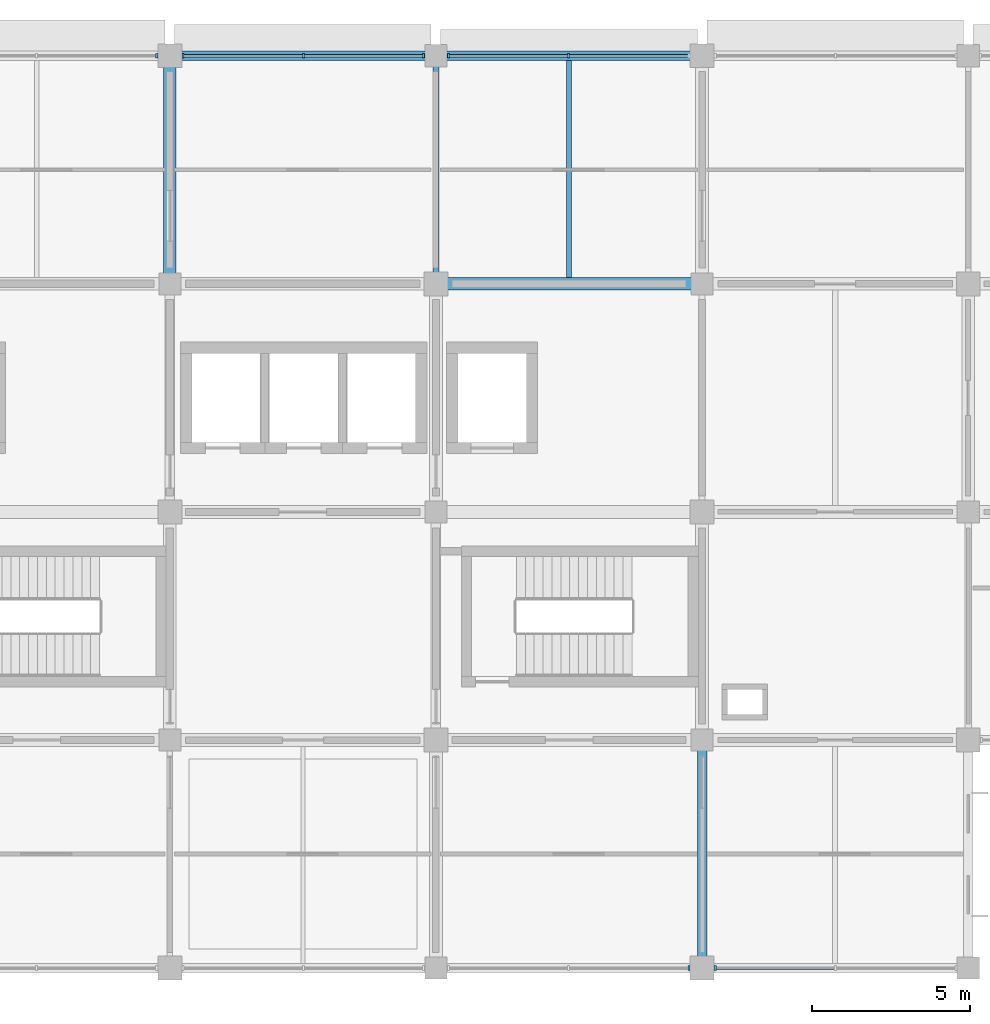
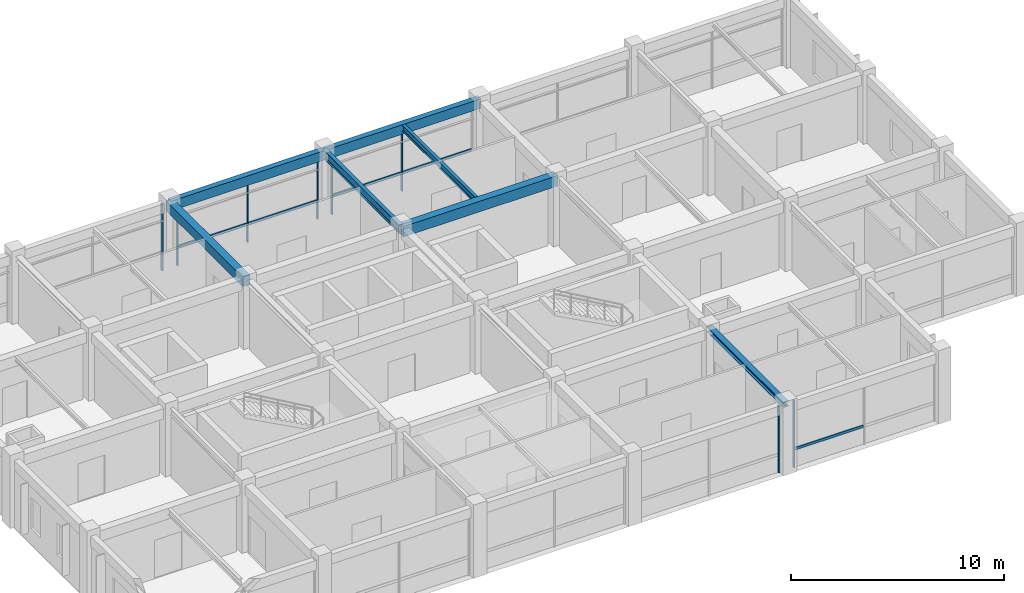
# One storey, part 5 of 13: 13 members, 7 beams, 5 elements without a shape of their own.
"""IFC4 building model written with IfcOpenShell, lengths in metres."""

from ifc_helpers import new_model, si_unit, derived_unit, direction, frame, origin, origin_2d, place, context, subcontext, project, spatial, rectangle, i_section, extrude, material, material_profile, profile_set, type_object, element, aggregate, save


model = new_model("IFC4")

# Units and contexts
model_context = context("Model", 3, precision=1e-05, world=origin(), true_north=direction((0.0, 1.0)))
body_context = subcontext(model_context, "Body", "Model", "MODEL_VIEW")
ifc_project = project(units=[si_unit("LENGTHUNIT", "METRE"), si_unit("AREAUNIT", "SQUARE_METRE"), si_unit("VOLUMEUNIT", "CUBIC_METRE"), si_unit("PLANEANGLEUNIT", "RADIAN"), si_unit("MASSUNIT", "GRAM", prefix="KILO"), derived_unit("THERMALTRANSMITTANCEUNIT", [(si_unit("MASSUNIT", "GRAM", prefix="KILO"), 1), (si_unit("TIMEUNIT", "SECOND"), -3), (si_unit("THERMODYNAMICTEMPERATUREUNIT", "KELVIN"), -1)])], contexts=[model_context])

# Site, building, storey
site_placement = place(None, origin())
site = spatial("IfcSite", under=ifc_project, at=site_placement, CompositionType="ELEMENT")
building_placement = place(site_placement, origin())
building = spatial("IfcBuilding", under=site, at=building_placement, Name="Veldstrom Oceanarium and Marine Research Institute", CompositionType="ELEMENT")
storey_placement = place(building_placement, frame((0.0, 0.0, 39.60009765625)))
storey = spatial("IfcBuildingStorey", under=building, at=storey_placement, Name="L08", CompositionType="ELEMENT", Elevation=39.60009765625)

# Curtain wall, member
ifc_material_1 = material(Name="Anodised Aluminium Framing", Category="aluminium")
curtain_wall_type = type_object("IfcCurtainWallType", Name="ARC-CW-CW04", PredefinedType="USERDEFINED", material=ifc_material_1)
curtain_wall_1_placement = place(storey_placement, origin())
curtain_wall_1 = element("IfcCurtainWall", 1, at=curtain_wall_1_placement, inside=storey, type_object=curtain_wall_type, Name="Curtain Wall CW04 CW-L08-125", ObjectType="Curtain wall", PredefinedType="USERDEFINED")
ifc_material_2 = material(Name="Anodised Aluminium Framing", Category="aluminium")
ifc_material_profile_1 = material_profile(ifc_material_2, rectangle(XDim=0.06494140625, YDim=0.14990234375, at=origin_2d()), Name="ALU-MUL-65x150")
ifc_profile_set_1 = profile_set([ifc_material_profile_1], Name="Anodised Aluminium Framing")
member_type_1 = type_object("IfcMemberType", Name="ARC-MUL-ML2", PredefinedType="MULLION", material=ifc_profile_set_1)
member_1_placement = place(storey_placement, frame((83.5849609375, 72.0, 0.0), z_axis=(0.0, 0.0, 1.0), x_axis=(1.0, 0.0, 0.0)))
member_1 = element("IfcMember", 2, at=member_1_placement, type_object=member_type_1, Name="Curtain Wall Mullion CW-L08-125-MUL-3", PredefinedType="MULLION", context=body_context, shape_type="SweptSolid", body=[
    extrude(rectangle(XDim=0.06494140625, YDim=0.14990234375, at=origin_2d()), origin(), (0.0, 0.0, 1.0), 3.849853515625),
])
aggregate(curtain_wall_1, [member_1])

# Curtain wall, members
curtain_wall_2_placement = place(storey_placement, origin())
curtain_wall_2 = element("IfcCurtainWall", 3, at=curtain_wall_2_placement, inside=storey, type_object=curtain_wall_type, Name="Curtain Wall CW04 CW-L08-127", ObjectType="Curtain wall", PredefinedType="USERDEFINED")
member_2_placement = place(storey_placement, frame((84.4150390625, 72.0, 0.0), z_axis=(0.0, 0.0, 1.0), x_axis=(1.0, 0.0, 0.0)))
member_2 = element("IfcMember", 4, at=member_2_placement, type_object=member_type_1, Name="Curtain Wall Mullion CW-L08-127-MUL-1", PredefinedType="MULLION", context=body_context, shape_type="SweptSolid", body=[
    extrude(rectangle(XDim=0.06494140625, YDim=0.14990234375, at=origin_2d()), origin(), (0.0, 0.0, 1.0), 3.849853515625),
])
member_3_placement = place(storey_placement, frame((88.21240234375, 72.0, 0.0), z_axis=(0.0, 0.0, 1.0), x_axis=(1.0, 0.0, 0.0)))
member_3 = element("IfcMember", 5, at=member_3_placement, type_object=member_type_1, Name="Curtain Wall Mullion CW-L08-127-MUL-2", PredefinedType="MULLION", context=body_context, shape_type="SweptSolid", body=[
    extrude(rectangle(XDim=0.06494140625, YDim=0.14990234375, at=origin_2d()), origin(), (0.0, 0.0, 1.0), 3.849853515625),
])
member_4_placement = place(storey_placement, frame((92.010009765625, 72.0, 0.0), z_axis=(0.0, 0.0, 1.0), x_axis=(1.0, 0.0, 0.0)))
member_4 = element("IfcMember", 6, at=member_4_placement, type_object=member_type_1, Name="Curtain Wall Mullion CW-L08-127-MUL-3", PredefinedType="MULLION", context=body_context, shape_type="SweptSolid", body=[
    extrude(rectangle(XDim=0.06494140625, YDim=0.14990234375, at=origin_2d()), origin(), (0.0, 0.0, 1.0), 3.849853515625),
])

# Curtain wall, member
curtain_wall_3_placement = place(storey_placement, origin())
curtain_wall_3 = element("IfcCurtainWall", 7, at=curtain_wall_3_placement, inside=storey, type_object=curtain_wall_type, Name="Curtain Wall CW04 CW-L08-128", ObjectType="Curtain wall", PredefinedType="USERDEFINED")
member_5_placement = place(storey_placement, frame((100.385009765625, 43.199951171875, 0.0), z_axis=(0.0, 0.0, 1.0), x_axis=(1.0, 0.0, 0.0)))
member_5 = element("IfcMember", 8, at=member_5_placement, type_object=member_type_1, Name="Curtain Wall Mullion CW-L08-128-MUL-3", PredefinedType="MULLION", context=body_context, shape_type="SweptSolid", body=[
    extrude(rectangle(XDim=0.06494140625, YDim=0.14990234375, at=origin_2d()), origin(), (0.0, 0.0, 1.0), 3.849853515625),
])
aggregate(curtain_wall_3, [member_5])

# Curtain wall, members
curtain_wall_4_placement = place(storey_placement, origin())
curtain_wall_4 = element("IfcCurtainWall", 9, at=curtain_wall_4_placement, inside=storey, type_object=curtain_wall_type, Name="Curtain Wall CW04 CW-L08-129", ObjectType="Curtain wall", PredefinedType="USERDEFINED")
member_6_placement = place(storey_placement, frame((92.7900390625, 72.0, 0.0), z_axis=(0.0, 0.0, 1.0), x_axis=(1.0, 0.0, 0.0)))
member_6 = element("IfcMember", 10, at=member_6_placement, type_object=member_type_1, Name="Curtain Wall Mullion CW-L08-129-MUL-1", PredefinedType="MULLION", context=body_context, shape_type="SweptSolid", body=[
    extrude(rectangle(XDim=0.06494140625, YDim=0.14990234375, at=origin_2d()), origin(), (0.0, 0.0, 1.0), 3.849853515625),
])
member_7_placement = place(storey_placement, frame((96.58740234375, 72.0, 0.0), z_axis=(0.0, 0.0, 1.0), x_axis=(1.0, 0.0, 0.0)))
member_7 = element("IfcMember", 11, at=member_7_placement, type_object=member_type_1, Name="Curtain Wall Mullion CW-L08-129-MUL-2", PredefinedType="MULLION", context=body_context, shape_type="SweptSolid", body=[
    extrude(rectangle(XDim=0.06494140625, YDim=0.14990234375, at=origin_2d()), origin(), (0.0, 0.0, 1.0), 3.849853515625),
])

# Curtain wall, member
curtain_wall_5_placement = place(storey_placement, origin())
curtain_wall_5 = element("IfcCurtainWall", 12, at=curtain_wall_5_placement, inside=storey, type_object=curtain_wall_type, Name="Curtain Wall CW04 CW-L08-130", ObjectType="Curtain wall", PredefinedType="USERDEFINED")
member_8_placement = place(storey_placement, frame((101.215087890625, 43.199951171875, 0.0), z_axis=(0.0, 0.0, 1.0), x_axis=(1.0, 0.0, 0.0)))
member_8 = element("IfcMember", 13, at=member_8_placement, type_object=member_type_1, Name="Curtain Wall Mullion CW-L08-130-MUL-1", PredefinedType="MULLION", context=body_context, shape_type="SweptSolid", body=[
    extrude(rectangle(XDim=0.06494140625, YDim=0.14990234375, at=origin_2d()), origin(), (0.0, 0.0, 1.0), 3.849853515625),
])

# Member
ifc_material_3 = material(Name="Anodised Aluminium Framing", Category="aluminium")
ifc_material_profile_2 = material_profile(ifc_material_3, rectangle(XDim=0.074951171875, YDim=0.14990234375, at=origin_2d()), Name="ALU-TRN-75x150")
ifc_profile_set_2 = profile_set([ifc_material_profile_2], Name="Anodised Aluminium Framing")
member_type_2 = type_object("IfcMemberType", Name="ARC-TRN-TR1", PredefinedType="USERDEFINED", material=ifc_profile_set_2)
member_9_placement = place(storey_placement, frame((84.455078125, 72.0, 1.0498046875), z_axis=(1.0, 0.0, 0.0), x_axis=(0.0, 1.0, 0.0)))
member_9 = element("IfcMember", 14, at=member_9_placement, type_object=member_type_2, Name="Curtain Wall Transom CW-L08-127-TRN-1", ObjectType="Transom", PredefinedType="USERDEFINED", context=body_context, shape_type="SweptSolid", body=[
    extrude(rectangle(XDim=0.074951171875, YDim=0.14990234375, at=origin_2d()), origin(), (0.0, 0.0, 1.0), 3.717529296875),
])

member_10_placement = place(storey_placement, frame((88.25244140625, 72.0, 1.0498046875), z_axis=(1.0, 0.0, 0.0), x_axis=(0.0, 1.0, 0.0)))
member_10 = element("IfcMember", 15, at=member_10_placement, type_object=member_type_2, Name="Curtain Wall Transom CW-L08-127-TRN-2", ObjectType="Transom", PredefinedType="USERDEFINED", context=body_context, shape_type="SweptSolid", body=[
    extrude(rectangle(XDim=0.074951171875, YDim=0.14990234375, at=origin_2d()), origin(), (0.0, 0.0, 1.0), 3.717529296875),
])

aggregate(curtain_wall_2, [member_2, member_3, member_4, member_9, member_10])

member_11_placement = place(storey_placement, frame((92.830078125, 72.0, 1.0498046875), z_axis=(1.0, 0.0, 0.0), x_axis=(0.0, 1.0, 0.0)))
member_11 = element("IfcMember", 16, at=member_11_placement, type_object=member_type_2, Name="Curtain Wall Transom CW-L08-129-TRN-1", ObjectType="Transom", PredefinedType="USERDEFINED", context=body_context, shape_type="SweptSolid", body=[
    extrude(rectangle(XDim=0.074951171875, YDim=0.14990234375, at=origin_2d()), origin(), (0.0, 0.0, 1.0), 3.717529296875),
])

member_12_placement = place(storey_placement, frame((96.62744140625, 72.0, 1.0498046875), z_axis=(1.0, 0.0, 0.0), x_axis=(0.0, 1.0, 0.0)))
member_12 = element("IfcMember", 17, at=member_12_placement, type_object=member_type_2, Name="Curtain Wall Transom CW-L08-129-TRN-2", ObjectType="Transom", PredefinedType="USERDEFINED", context=body_context, shape_type="SweptSolid", body=[
    extrude(rectangle(XDim=0.074951171875, YDim=0.14990234375, at=origin_2d()), origin(), (0.0, 0.0, 1.0), 3.717529296875),
])

aggregate(curtain_wall_4, [member_6, member_7, member_11, member_12])

member_13_placement = place(storey_placement, frame((101.2548828125, 43.199951171875, 1.0498046875), z_axis=(1.0, 0.0, 0.0), x_axis=(0.0, 1.0, 0.0)))
member_13 = element("IfcMember", 18, at=member_13_placement, type_object=member_type_2, Name="Curtain Wall Transom CW-L08-130-TRN-1", ObjectType="Transom", PredefinedType="USERDEFINED", context=body_context, shape_type="SweptSolid", body=[
    extrude(rectangle(XDim=0.074951171875, YDim=0.14990234375, at=origin_2d()), origin(), (0.0, 0.0, 1.0), 3.717529296875),
])

aggregate(curtain_wall_5, [member_8, member_13])

# Beams
ifc_material_4 = material(Name="Concrete C40/50", Category="concrete")
ifc_material_profile_3 = material_profile(ifc_material_4, rectangle(XDim=0.39990234375, YDim=0.60009765625, at=origin_2d()), Name="RC-BM-400x600")
ifc_profile_set_3 = profile_set([ifc_material_profile_3], Name="Concrete C40/50")
beam_type_1 = type_object("IfcBeamType", Name="STR-BM-B06", PredefinedType="BEAM", material=ifc_profile_set_3)
beam_1_placement = place(storey_placement, frame((92.39990234375, 64.800048828125, 3.594970703125), z_axis=(1.0, 0.0, 0.0), x_axis=(0.0, 1.0, 0.0)))
element("IfcBeam", 19, at=beam_1_placement, inside=storey, type_object=beam_type_1, Name="Primary Beam B06 L08-2426", PredefinedType="BEAM", context=body_context, shape_type="SweptSolid", body=[
    extrude(rectangle(XDim=0.39990234375, YDim=0.60009765625, at=origin_2d()), origin(), (0.0, 0.0, 1.0), 8.400146484375),
])
ifc_material_5 = material(Name="Concrete C40/50", Category="concrete")
ifc_material_profile_4 = material_profile(ifc_material_5, rectangle(XDim=0.39990234375, YDim=0.550048828125, at=origin_2d()), Name="RC-BM-400x550")
ifc_profile_set_4 = profile_set([ifc_material_profile_4], Name="Concrete C40/50")
beam_type_2 = type_object("IfcBeamType", Name="STR-BM-B07", PredefinedType="BEAM", material=ifc_profile_set_4)
beam_2_placement = place(storey_placement, frame((84.0, 64.800048828125, 3.619873046875), z_axis=(0.0, 1.0, 0.0), x_axis=(-1.0, 0.0, 0.0)))
element("IfcBeam", 20, at=beam_2_placement, inside=storey, type_object=beam_type_2, Name="Primary Beam B07 L08-2448", PredefinedType="BEAM", context=body_context, shape_type="SweptSolid", body=[
    extrude(rectangle(XDim=0.39990234375, YDim=0.550048828125, at=origin_2d()), origin(), (0.0, 0.0, 1.0), 7.199951171875),
])
ifc_material_6 = material(Name="Steel S355JR", Category="steel")
ifc_material_profile_5 = material_profile(ifc_material_6, i_section(OverallWidth=0.300048828125, OverallDepth=0.2900390625, WebThickness=0.008544921875, FlangeThickness=0.013916015625, FilletRadius=0.027099609375, at=origin_2d()), Name="HEA 300")
ifc_profile_set_5 = profile_set([ifc_material_profile_5], Name="Steel S355JR")
beam_type_3 = type_object("IfcBeamType", Name="STR-BM-SB10", PredefinedType="BEAM", material=ifc_profile_set_5)
beam_3_placement = place(storey_placement, frame((100.800048828125, 43.199951171875, 3.75), z_axis=(0.0, 1.0, 0.0), x_axis=(-1.0, 0.0, 0.0)))
element("IfcBeam", 21, at=beam_3_placement, inside=storey, type_object=beam_type_3, Name="Steel Tie Beam SB10 L08-2453", PredefinedType="BEAM", context=body_context, shape_type="SweptSolid", body=[
    extrude(i_section(OverallWidth=0.300048828125, OverallDepth=0.2900390625, WebThickness=0.008544921875, FlangeThickness=0.013916015625, FilletRadius=0.027099609375, at=origin_2d()), origin(), (0.0, 0.0, 1.0), 7.199951171875),
])
ifc_material_7 = material(Name="Steel S355JR", Category="steel")
ifc_material_profile_6 = material_profile(ifc_material_7, i_section(OverallWidth=0.199951171875, OverallDepth=0.5, WebThickness=0.01025390625, FlangeThickness=0.01611328125, FilletRadius=0.02099609375, at=origin_2d()), Name="IPE 500")
ifc_profile_set_6 = profile_set([ifc_material_profile_6], Name="Steel S355JR")
beam_type_4 = type_object("IfcBeamType", Name="STR-BM-SB6", PredefinedType="BEAM", material=ifc_profile_set_6)
beam_4_placement = place(storey_placement, frame((92.39990234375, 64.800048828125, 3.64501953125), z_axis=(0.0, 1.0, 0.0), x_axis=(-1.0, 0.0, 0.0)))
element("IfcBeam", 22, at=beam_4_placement, inside=storey, type_object=beam_type_4, Name="Steel Tie Beam SB6 L08-2452", PredefinedType="BEAM", context=body_context, shape_type="SweptSolid", body=[
    extrude(i_section(OverallWidth=0.199951171875, OverallDepth=0.5, WebThickness=0.01025390625, FlangeThickness=0.01611328125, FilletRadius=0.02099609375, at=origin_2d()), origin(), (0.0, 0.0, 1.0), 7.199951171875),
])
ifc_material_8 = material(Name="Steel S355JR", Category="steel")
ifc_material_profile_7 = material_profile(ifc_material_8, i_section(OverallWidth=0.169921875, OverallDepth=0.360107421875, WebThickness=0.008056640625, FlangeThickness=0.0126953125, FilletRadius=0.01806640625, at=origin_2d()), Name="IPE 360")
ifc_profile_set_7 = profile_set([ifc_material_profile_7], Name="Steel S355JR")
beam_type_5 = type_object("IfcBeamType", Name="STR-JST-SJ1", PredefinedType="JOIST", material=ifc_profile_set_7)
beam_5_placement = place(storey_placement, frame((96.60009765625, 65.0, 3.71484375), z_axis=(0.0, 1.0, 0.0), x_axis=(-1.0, 0.0, 0.0)))
element("IfcBeam", 23, at=beam_5_placement, inside=storey, type_object=beam_type_5, Name="Secondary Joist SJ1 L08-2468", PredefinedType="JOIST", context=body_context, shape_type="SweptSolid", body=[
    extrude(i_section(OverallWidth=0.169921875, OverallDepth=0.360107421875, WebThickness=0.008056640625, FlangeThickness=0.0126953125, FilletRadius=0.01806640625, at=origin_2d()), origin(), (0.0, 0.0, 1.0), 6.85009765625),
])
ifc_material_9 = material(Name="Concrete C40/50", Category="concrete")
ifc_material_profile_8 = material_profile(ifc_material_9, rectangle(XDim=0.300048828125, YDim=0.550048828125, at=origin_2d()), Name="RC-SPN-300x550")
ifc_profile_set_8 = profile_set([ifc_material_profile_8], Name="Concrete C40/50")
beam_type_6 = type_object("IfcBeamType", Name="STR-SPN-SP2", PredefinedType="SPANDREL", material=ifc_profile_set_8)
beam_6_placement = place(storey_placement, frame((84.0, 72.0, 3.619873046875), z_axis=(1.0, 0.0, 0.0), x_axis=(0.0, 1.0, 0.0)))
element("IfcBeam", 24, at=beam_6_placement, inside=storey, type_object=beam_type_6, Name="Perimeter Spandrel SPB2 L08-2422", PredefinedType="SPANDREL", context=body_context, shape_type="SweptSolid", body=[
    extrude(rectangle(XDim=0.300048828125, YDim=0.550048828125, at=origin_2d()), origin(), (0.0, 0.0, 1.0), 8.39990234375),
])
beam_7_placement = place(storey_placement, frame((92.39990234375, 72.0, 3.619873046875), z_axis=(1.0, 0.0, 0.0), x_axis=(0.0, 1.0, 0.0)))
element("IfcBeam", 25, at=beam_7_placement, inside=storey, type_object=beam_type_6, Name="Perimeter Spandrel SPB2 L08-2427", PredefinedType="SPANDREL", context=body_context, shape_type="SweptSolid", body=[
    extrude(rectangle(XDim=0.300048828125, YDim=0.550048828125, at=origin_2d()), origin(), (0.0, 0.0, 1.0), 8.400146484375),
])

save(model, "model.ifc")
